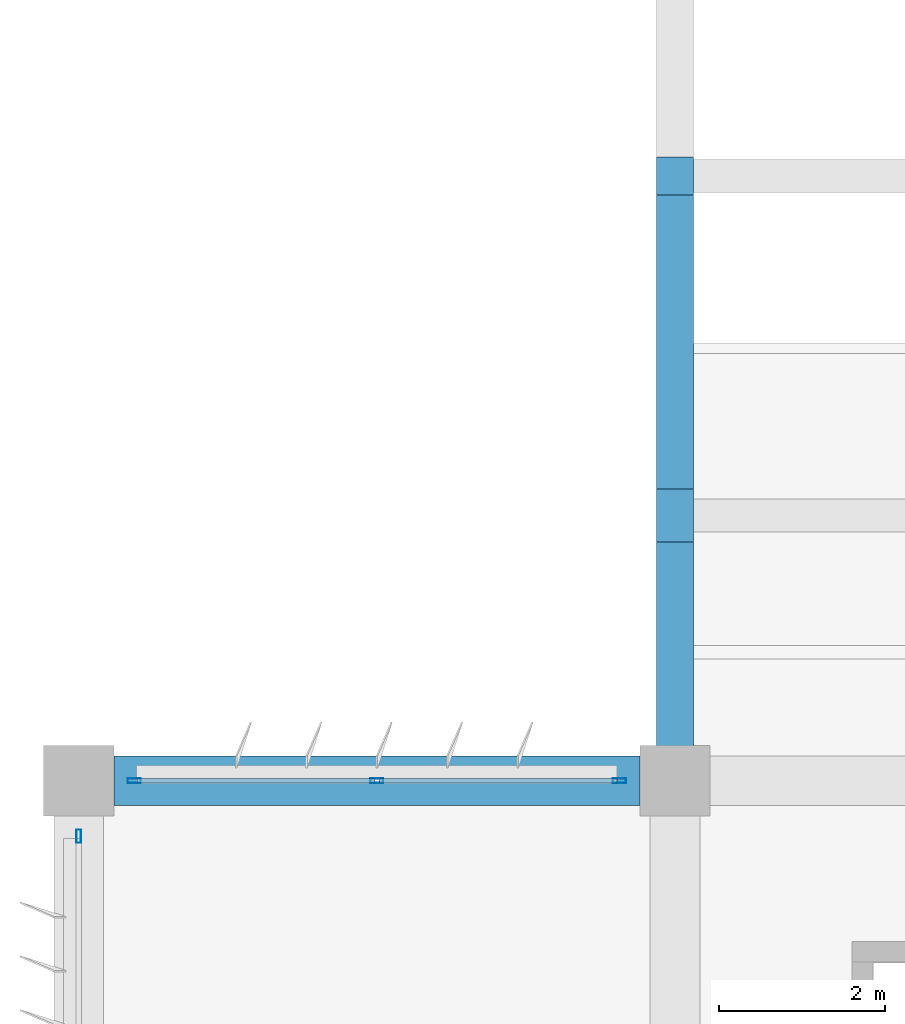
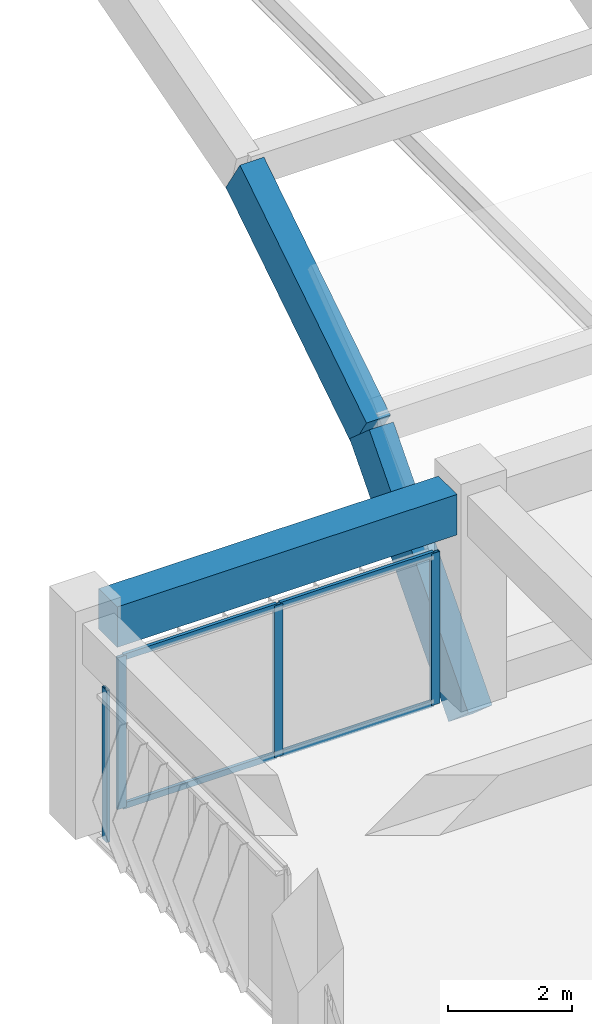
# One storey, part 11 of 48: 8 members, 3 beams, 2 elements without a shape of their own.
"""IFC4 building model written with IfcOpenShell, lengths in metres."""

import ifcopenshell
import ifcopenshell.guid

model = None  # the IFC model being written
_history = None  # IfcOwnerHistory: only IFC2X3 demands one
_inside = {}  # id of a spatial element -> (the spatial element, [elements in it])
_under = {}  # id of a project, library or spatial element -> (it, [spatial elements below it])
_declared = {}  # id of a project -> (the project, [libraries it declares])
_typed = {}  # id of a type object -> (the type object, [elements of that type])
_made_of = {}  # id of a material, layer set ... -> (it, [elements and type objects made of it])


def new_model(schema):
    """Start an empty IFC model of exactly this schema.

    Asked for "IFC4X3", IfcOpenShell would pick the latest addendum, in which some entities
    have other attributes; the version numbers below select the first issue.
    IFC2X3 requires an IfcOwnerHistory on every rooted entity: one is made here for all.
    """
    global model, _history
    if schema == "IFC4X3":
        model = ifcopenshell.file(schema_version=(4, 3, 0, 0))
    else:
        model = ifcopenshell.file(schema=schema)
    _inside.clear()
    _under.clear()
    _declared.clear()
    _typed.clear()
    _made_of.clear()
    _history = None
    if model.schema == "IFC2X3":
        org = make("IfcOrganization", Name="unknown")
        user = make(
            "IfcPersonAndOrganization",
            ThePerson=make("IfcPerson", FamilyName="unknown"),
            TheOrganization=org,
        )
        app = make(
            "IfcApplication",
            ApplicationDeveloper=org,
            Version="unknown",
            ApplicationFullName="unknown",
            ApplicationIdentifier="unknown",
        )
        _history = make(
            "IfcOwnerHistory",
            OwningUser=user,
            OwningApplication=app,
            ChangeAction="ADDED",
            CreationDate=0,
        )
    return model


def make(cls, **values):
    """One entity of the class cls with the attributes given. An attribute that is None is left unset."""
    return model.create_entity(
        cls, **{name: value for name, value in values.items() if value is not None}
    )


def rooted(cls, **values):
    """An entity with a GlobalId (a new one), such as an element, a storey or a relation."""
    return make(cls, GlobalId=ifcopenshell.guid.new(), OwnerHistory=_history, **values)


def si_unit(unit_type, name, prefix=None):
    """IfcSIUnit, for example si_unit("LENGTHUNIT", "METRE", prefix="MILLI")."""
    return make("IfcSIUnit", UnitType=unit_type, Prefix=prefix, Name=name)


def assignment(units):
    """IfcUnitAssignment: the units of a project."""
    return None if units is None else make("IfcUnitAssignment", Units=units)


def point(xyz):
    """IfcCartesianPoint."""
    return None if xyz is None else make("IfcCartesianPoint", Coordinates=xyz)


def direction(xyz):
    """IfcDirection."""
    return None if xyz is None else make("IfcDirection", DirectionRatios=xyz)


def frame(location, z_axis=None, x_axis=None):
    """IfcAxis2Placement3D, a coordinate frame: its origin and axes. An axis left out is left unset."""
    return make(
        "IfcAxis2Placement3D",
        Location=point(location),
        Axis=direction(z_axis),
        RefDirection=direction(x_axis),
    )


def frame_2d(location, x_axis=None):
    """IfcAxis2Placement2D, a coordinate frame in the plane: its origin and x axis."""
    return make(
        "IfcAxis2Placement2D", Location=point(location), RefDirection=direction(x_axis)
    )


def origin():
    """The frame at (0, 0, 0) with its axes left unset."""
    return frame((0.0, 0.0, 0.0))


def origin_2d():
    """The frame at (0, 0) in the plane with its x axis left unset."""
    return frame_2d((0.0, 0.0))


def place(relative_to, where):
    """IfcLocalPlacement: puts the frame where relative to a parent placement (None: the world)."""
    return make(
        "IfcLocalPlacement", PlacementRelTo=relative_to, RelativePlacement=where
    )


def context(
    kind, dimensions, precision=None, world=None, true_north=None, identifier=None
):
    """IfcGeometricRepresentationContext, for example the 3D "Model" context."""
    return make(
        "IfcGeometricRepresentationContext",
        ContextIdentifier=identifier,
        ContextType=kind,
        CoordinateSpaceDimension=dimensions,
        Precision=precision,
        WorldCoordinateSystem=world,
        TrueNorth=true_north,
    )


def subcontext(parent, identifier, kind, view, scale=None):
    """IfcGeometricRepresentationSubContext, for example "Body" below "Model"."""
    return make(
        "IfcGeometricRepresentationSubContext",
        ContextIdentifier=identifier,
        ContextType=kind,
        ParentContext=parent,
        TargetScale=scale,
        TargetView=view,
    )


def project(units=None, contexts=None):
    """IfcProject with its units and contexts."""
    return rooted(
        "IfcProject",
        Name="project",
        RepresentationContexts=contexts,
        UnitsInContext=assignment(units),
    )


def spatial(cls, under=None, at=None, **own):
    """A site, building, storey or space (cls), placed at a placement, below another one or the project."""
    s = rooted(cls, ObjectPlacement=at, **own)
    if under is not None:
        _under.setdefault(under.id(), (under, []))[1].append(s)
    return s


def profile(cls, at=None, kind="AREA", **sizes):
    """A parametric profile (cls). Its sizes go by their IFC names, for example OverallWidth=200.0."""
    return make(cls, ProfileType=kind, Position=at, **sizes)


def rectangle(**sizes):
    """IfcRectangleProfileDef."""
    return profile("IfcRectangleProfileDef", **sizes)


def hollow_rectangle(**sizes):
    """IfcRectangleHollowProfileDef."""
    return profile("IfcRectangleHollowProfileDef", **sizes)


def extrude(swept, where, along, depth):
    """IfcExtrudedAreaSolid: the profile swept, set in the frame where, extruded along a direction by depth."""
    return make(
        "IfcExtrudedAreaSolid",
        SweptArea=swept,
        Position=where,
        ExtrudedDirection=direction(along),
        Depth=depth,
    )


def shape(context_of_items, identifier, shape_type, items):
    """IfcShapeRepresentation: the items that make up one representation, for example the "Body"."""
    return make(
        "IfcShapeRepresentation",
        ContextOfItems=context_of_items,
        RepresentationIdentifier=identifier,
        RepresentationType=shape_type,
        Items=items,
    )


def material(Name=None, Category=None):
    """IfcMaterial."""
    return make("IfcMaterial", Name=Name, Category=Category)


def material_profile(
    of_material, cross_section, Name=None, Category=None, Priority=None
):
    """IfcMaterialProfile: a cross section and its material."""
    return make(
        "IfcMaterialProfile",
        Name=Name,
        Material=of_material,
        Profile=cross_section,
        Priority=Priority,
        Category=Category,
    )


def profile_set(profiles, Name=None, composite=None):
    """IfcMaterialProfileSet."""
    return make(
        "IfcMaterialProfileSet",
        Name=Name,
        MaterialProfiles=profiles,
        CompositeProfile=composite,
    )


def made_of(thing, what):
    """Note that an element or type object is made of a material, layer set ...; save() writes the relation."""
    if what is not None:
        _made_of.setdefault(what.id(), (what, []))[1].append(thing)
    return thing


def type_object(cls, material=None, **own):
    """A type object (cls), such as IfcWallType, which elements share."""
    return made_of(rooted(cls, **own), material)


def element(
    cls,
    number,
    at=None,
    inside=None,
    cuts=None,
    type_object=None,
    material=None,
    context=None,
    identifier="Body",
    shape_type=None,
    held_by="IfcProductDefinitionShape",
    body=None,
    shapes=None,
    **own,
):
    """One element of the class cls, such as IfcWall. Its Tag is "e" and its number.

    at: its placement. inside: the storey or other place that contains it. cuts: it is an
    opening in that element (IfcRelVoidsElement). A single representation is given by context,
    identifier, shape_type and body (its items); several are given by shapes. held_by: the class
    of the entity that holds the representations. save() writes the other relations.
    """
    e = rooted(cls, Tag="e%d" % number, ObjectPlacement=at, **own)
    if body is not None:
        shapes = [shape(context, identifier, shape_type, body)]
    if shapes is not None:
        e.Representation = make(held_by, Representations=shapes)
    if inside is not None:
        _inside.setdefault(inside.id(), (inside, []))[1].append(e)
    if cuts is not None:
        rooted(
            "IfcRelVoidsElement", RelatingBuildingElement=cuts, RelatedOpeningElement=e
        )
    if type_object is not None:
        _typed.setdefault(type_object.id(), (type_object, []))[1].append(e)
    return made_of(e, material)


def aggregate(whole, parts):
    """IfcRelAggregates: a whole, such as a stair, and the parts it consists of."""
    return rooted("IfcRelAggregates", RelatingObject=whole, RelatedObjects=parts)


def save(model, path):
    """Write the relations noted so far, then the file.

    IfcRelAggregates (storeys below a building ...), IfcRelContainedInSpatialStructure (elements
    in a storey), IfcRelDefinesByType, IfcRelAssociatesMaterial and IfcRelDeclares: one each for
    every whole, place, type object, material and project.
    """
    for whole, parts in _under.values():
        aggregate(whole, parts)
    for where, things in _inside.values():
        rooted(
            "IfcRelContainedInSpatialStructure",
            RelatedElements=things,
            RelatingStructure=where,
        )
    for kind, things in _typed.values():
        rooted("IfcRelDefinesByType", RelatedObjects=things, RelatingType=kind)
    for what, things in _made_of.values():
        rooted("IfcRelAssociatesMaterial", RelatedObjects=things, RelatingMaterial=what)
    for by, libraries in _declared.values():
        rooted("IfcRelDeclares", RelatingContext=by, RelatedDefinitions=libraries)
    model.write(path)


model = new_model("IFC4")

# Units and contexts
model_context = context("Model", 3, precision=1e-05, world=origin(), true_north=direction((0.0, 1.0)))
body_context = subcontext(model_context, "Body", "Model", "MODEL_VIEW")
ifc_project = project(units=[si_unit("LENGTHUNIT", "METRE"), si_unit("AREAUNIT", "SQUARE_METRE"), si_unit("VOLUMEUNIT", "CUBIC_METRE"), si_unit("PLANEANGLEUNIT", "RADIAN"), si_unit("MASSUNIT", "GRAM", prefix="KILO")], contexts=[model_context])

# Site, building, storey
site_placement = place(None, origin())
site = spatial("IfcSite", under=ifc_project, at=site_placement, CompositionType="ELEMENT")
building_placement = place(site_placement, origin())
building = spatial("IfcBuilding", under=site, at=building_placement, Name="Kazehaya Institute of Natural Sciences", CompositionType="ELEMENT")
storey_placement = place(building_placement, frame((0.0, 0.0, 19.800048828125)))
storey = spatial("IfcBuildingStorey", under=building, at=storey_placement, Name="L04", CompositionType="ELEMENT", Elevation=19.800048828125)

# Beams
ifc_material_1 = material(Name="Concrete Fc36", Category="concrete")
ifc_material_profile_1 = material_profile(ifc_material_1, rectangle(XDim=0.449951171875, YDim=0.85009765625, at=origin_2d()), Name="RC-450x850")
ifc_profile_set_1 = profile_set([ifc_material_profile_1], Name="Concrete Fc36")
beam_type_1 = type_object("IfcBeamType", Name="BM-AR-450x850", PredefinedType="BEAM", material=ifc_profile_set_1)
beam_1_placement = place(storey_placement, frame((61.800048828125, 35.60009765625, -0.429931640625), z_axis=(0.0, 0.659222645841, 0.751947806175), x_axis=(-1.0, 0.0, 0.0)))
element("IfcBeam", 1, at=beam_1_placement, inside=storey, type_object=beam_type_1, Name="SH-VOL2 transverse arch rib SH-VOL2-RIB-61-01", PredefinedType="BEAM", context=body_context, shape_type="SweptSolid", body=[
    extrude(rectangle(XDim=0.449951171875, YDim=0.85009765625, at=origin_2d()), origin(), (0.0, 0.0, 1.0), 4.8603515625),
])
beam_2_placement = place(storey_placement, frame((61.800048828125, 38.80419921875, 3.224853515625), z_axis=(0.0, 0.843332482097, 0.537392151636), x_axis=(-1.0, 0.0, 0.0)))
element("IfcBeam", 2, at=beam_2_placement, inside=storey, type_object=beam_type_1, Name="SH-VOL2 transverse arch rib SH-VOL2-RIB-61-03", PredefinedType="BEAM", context=body_context, shape_type="SweptSolid", body=[
    extrude(rectangle(XDim=0.449951171875, YDim=0.85009765625, at=origin_2d()), origin(), (0.0, 0.0, 1.0), 4.860595703125),
])
ifc_material_profile_2 = material_profile(ifc_material_1, rectangle(XDim=0.60009765625, YDim=0.800048828125, at=origin_2d()), Name="RC-600x800")
ifc_profile_set_2 = profile_set([ifc_material_profile_2], Name="Concrete Fc36")
beam_type_2 = type_object("IfcBeamType", Name="BM-G-600x800", PredefinedType="BEAM", material=ifc_profile_set_2)
beam_3_placement = place(storey_placement, frame((55.02490234375, 35.60009765625, 3.829833984375), z_axis=(1.0, 0.0, 0.0), x_axis=(0.0, 1.0, 0.0)))
element("IfcBeam", 3, at=beam_3_placement, inside=storey, type_object=beam_type_2, Name="L04 primary X girder BMX-L04-546-356", PredefinedType="BEAM", context=body_context, shape_type="SweptSolid", body=[
    extrude(rectangle(XDim=0.60009765625, YDim=0.800048828125, at=origin_2d()), origin(), (0.0, 0.0, 1.0), 6.35009765625),
])

# Curtain wall, members
ifc_material_2 = material(Name="Aluminium alloy A6063S-T5", Category="aluminium")
curtain_wall_type_1 = type_object("IfcCurtainWallType", Name="CW-SYS-04", PredefinedType="NOTDEFINED", material=ifc_material_2)
curtain_wall_1_placement = place(storey_placement, origin())
curtain_wall_1 = element("IfcCurtainWall", 4, at=curtain_wall_1_placement, inside=storey, type_object=curtain_wall_type_1, Name="L04 unitised curtain wall CW-L04-084", PredefinedType="NOTDEFINED")
ifc_material_profile_3 = material_profile(ifc_material_2, hollow_rectangle(XDim=0.06005859375, YDim=0.159912109375, WallThickness=0.00390625, at=origin_2d()), Name="ALU-60x160x4")
ifc_profile_set_3 = profile_set([ifc_material_profile_3], Name="Aluminium alloy A6063S-T5")
member_type_1 = type_object("IfcMemberType", Name="CWM-160", PredefinedType="MULLION", material=ifc_profile_set_3)
member_1_placement = place(storey_placement, frame((55.27001953125, 35.60009765625, 0.0), z_axis=(0.0, 0.0, 1.0), x_axis=(0.0, 1.0, 0.0)))
member_1 = element("IfcMember", 5, at=member_1_placement, type_object=member_type_1, Name="CW04 mullion 1", PredefinedType="MULLION", context=body_context, shape_type="SweptSolid", body=[
    extrude(hollow_rectangle(XDim=0.06005859375, YDim=0.159912109375, WallThickness=0.00390625, at=origin_2d()), origin(), (0.0, 0.0, 1.0), 3.0),
])
member_2_placement = place(storey_placement, frame((58.199951171875, 35.60009765625, 0.0), z_axis=(0.0, 0.0, 1.0), x_axis=(0.0, 1.0, 0.0)))
member_2 = element("IfcMember", 6, at=member_2_placement, type_object=member_type_1, Name="CW04 mullion 2", PredefinedType="MULLION", context=body_context, shape_type="SweptSolid", body=[
    extrude(hollow_rectangle(XDim=0.06005859375, YDim=0.159912109375, WallThickness=0.00390625, at=origin_2d()), origin(), (0.0, 0.0, 1.0), 3.0),
])
member_3_placement = place(storey_placement, frame((61.1298828125, 35.60009765625, 0.0), z_axis=(0.0, 0.0, 1.0), x_axis=(0.0, 1.0, 0.0)))
member_3 = element("IfcMember", 7, at=member_3_placement, type_object=member_type_1, Name="CW04 mullion 3", PredefinedType="MULLION", context=body_context, shape_type="SweptSolid", body=[
    extrude(hollow_rectangle(XDim=0.06005859375, YDim=0.159912109375, WallThickness=0.00390625, at=origin_2d()), origin(), (0.0, 0.0, 1.0), 3.0),
])

# Curtain wall, member
curtain_wall_type_2 = type_object("IfcCurtainWallType", Name="CW-SYS-10", PredefinedType="NOTDEFINED", material=ifc_material_2)
curtain_wall_2_placement = place(storey_placement, origin())
curtain_wall_2 = element("IfcCurtainWall", 8, at=curtain_wall_2_placement, inside=storey, type_object=curtain_wall_type_2, Name="L04 unitised curtain wall CW-L04-092", PredefinedType="NOTDEFINED")
member_4_placement = place(storey_placement, frame((54.60009765625, 34.929931640625, 0.0), z_axis=(0.0, 0.0, 1.0), x_axis=(-1.0, 0.0, 0.0)))
member_4 = element("IfcMember", 9, at=member_4_placement, type_object=member_type_1, Name="CW10 mullion 3", PredefinedType="MULLION", context=body_context, shape_type="SweptSolid", body=[
    extrude(hollow_rectangle(XDim=0.06005859375, YDim=0.159912109375, WallThickness=0.00390625, at=origin_2d()), origin(), (0.0, 0.0, 1.0), 3.0),
])
aggregate(curtain_wall_2, [member_4])

# Member
ifc_material_profile_4 = material_profile(ifc_material_2, hollow_rectangle(XDim=0.06005859375, YDim=0.1201171875, WallThickness=0.00341796875, at=origin_2d()), Name="ALU-60x120x3.5")
ifc_profile_set_4 = profile_set([ifc_material_profile_4], Name="Aluminium alloy A6063S-T5")
member_type_2 = type_object("IfcMemberType", Name="CWT-120", PredefinedType="USERDEFINED", material=ifc_profile_set_4)
member_5_placement = place(storey_placement, frame((55.300048828125, 35.60009765625, 0.030029296875), z_axis=(1.0, 0.0, 0.0), x_axis=(0.0, 1.0, 0.0)))
member_5 = element("IfcMember", 10, at=member_5_placement, type_object=member_type_2, Name="CW04 transom 1.1", ObjectType="TRANSOM", PredefinedType="USERDEFINED", context=body_context, shape_type="SweptSolid", body=[
    extrude(hollow_rectangle(XDim=0.06005859375, YDim=0.1201171875, WallThickness=0.00341796875, at=origin_2d()), origin(), (0.0, 0.0, 1.0), 2.869873046875),
])

member_6_placement = place(storey_placement, frame((55.300048828125, 35.60009765625, 2.969970703125), z_axis=(1.0, 0.0, 0.0), x_axis=(0.0, 1.0, 0.0)))
member_6 = element("IfcMember", 11, at=member_6_placement, type_object=member_type_2, Name="CW04 transom 1.2", ObjectType="TRANSOM", PredefinedType="USERDEFINED", context=body_context, shape_type="SweptSolid", body=[
    extrude(hollow_rectangle(XDim=0.06005859375, YDim=0.1201171875, WallThickness=0.00341796875, at=origin_2d()), origin(), (0.0, 0.0, 1.0), 2.869873046875),
])

member_7_placement = place(storey_placement, frame((58.22998046875, 35.60009765625, 0.030029296875), z_axis=(1.0, 0.0, 0.0), x_axis=(0.0, 1.0, 0.0)))
member_7 = element("IfcMember", 12, at=member_7_placement, type_object=member_type_2, Name="CW04 transom 2.1", ObjectType="TRANSOM", PredefinedType="USERDEFINED", context=body_context, shape_type="SweptSolid", body=[
    extrude(hollow_rectangle(XDim=0.06005859375, YDim=0.1201171875, WallThickness=0.00341796875, at=origin_2d()), origin(), (0.0, 0.0, 1.0), 2.8701171875),
])

member_8_placement = place(storey_placement, frame((58.22998046875, 35.60009765625, 2.969970703125), z_axis=(1.0, 0.0, 0.0), x_axis=(0.0, 1.0, 0.0)))
member_8 = element("IfcMember", 13, at=member_8_placement, type_object=member_type_2, Name="CW04 transom 2.2", ObjectType="TRANSOM", PredefinedType="USERDEFINED", context=body_context, shape_type="SweptSolid", body=[
    extrude(hollow_rectangle(XDim=0.06005859375, YDim=0.1201171875, WallThickness=0.00341796875, at=origin_2d()), origin(), (0.0, 0.0, 1.0), 2.8701171875),
])

aggregate(curtain_wall_1, [member_1, member_2, member_3, member_5, member_6, member_7, member_8])

save(model, "model.ifc")
